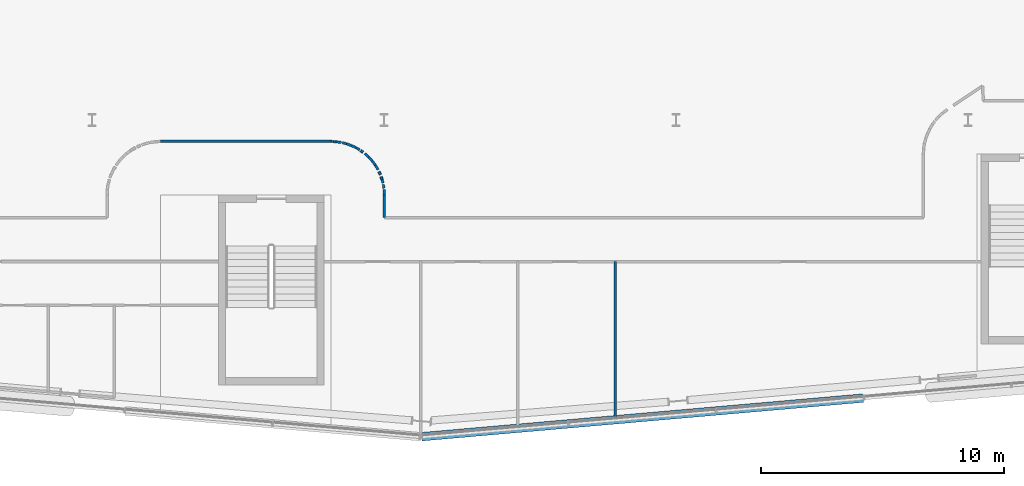
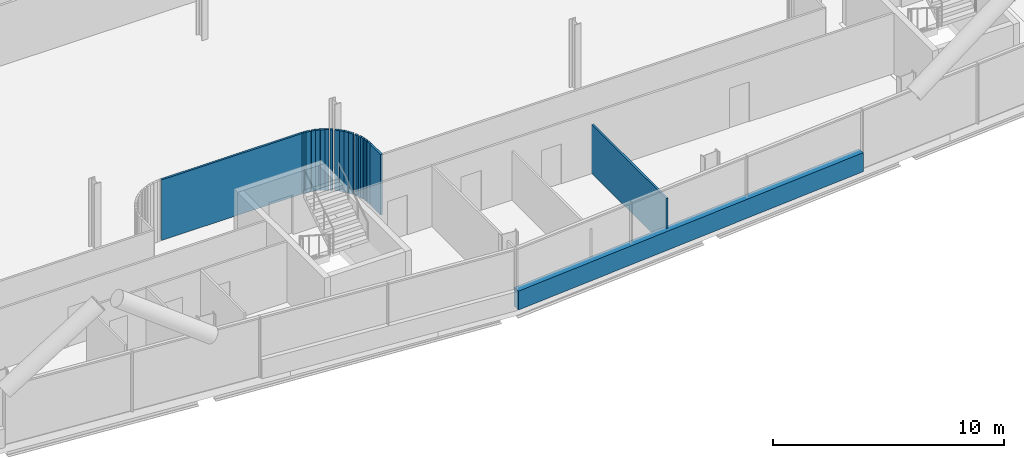
# One storey, part 16 of 30: 21 walls.
"""IFC4 building model written with IfcOpenShell, lengths in metres."""

from ifc_helpers import new_model, si_unit, direction, frame, frame_2d, origin, place, context, subcontext, project, spatial, rectangle, extrude, material, layer, layer_set, type_object, element, save


model = new_model("IFC4")

# Units and contexts
model_context = context("Model", 3, precision=1e-05, world=origin(), true_north=direction((0.0, 1.0)))
body_context = subcontext(model_context, "Body", "Model", "MODEL_VIEW")
ifc_project = project(units=[si_unit("LENGTHUNIT", "METRE"), si_unit("AREAUNIT", "SQUARE_METRE"), si_unit("VOLUMEUNIT", "CUBIC_METRE"), si_unit("PLANEANGLEUNIT", "RADIAN"), si_unit("MASSUNIT", "GRAM", prefix="KILO")], contexts=[model_context])

# Site, building, storey
site_placement = place(None, origin())
site = spatial("IfcSite", under=ifc_project, at=site_placement, CompositionType="ELEMENT")
building_placement = place(site_placement, origin())
building = spatial("IfcBuilding", under=site, at=building_placement, Name="Wharfspan Tower", CompositionType="ELEMENT")
storey_placement = place(building_placement, frame((0.0, 0.0, 107.5)))
storey = spatial("IfcBuildingStorey", under=building, at=storey_placement, Name="L24", CompositionType="ELEMENT", Elevation=107.5)

# Walls
ifc_material_1 = material(Name="Gypsum board on steel studs", Category="steel")
ifc_layer_1 = layer(ifc_material_1, 0.100098)
ifc_layer_set_1 = layer_set([ifc_layer_1], Name="Gypsum board on steel studs")
wall_type_1 = type_object("IfcWallType", Name="Compartment wall 100 EI 60", PredefinedType="PARTITIONING", material=ifc_layer_set_1)
wall_1_placement = place(storey_placement, frame((38.810059, 10.620117, 0.0), z_axis=(0.0, 0.0, 1.0), x_axis=(1.0, 0.0, 0.0)))
element("IfcWall", 1, at=wall_1_placement, inside=storey, type_object=wall_type_1, Name="Partition L24.w046", PredefinedType="PARTITIONING", context=body_context, shape_type="SweptSolid", body=[
    extrude(rectangle(XDim=7.0, YDim=0.100098, at=frame_2d((3.5, 0.0))), origin(), (0.0, 0.0, 1.0), 3.199951),
])
wall_2_placement = place(storey_placement, frame((45.909912, 10.61499, 0.0), z_axis=(0.0, 0.0, 1.0), x_axis=(-0.998681, 0.051277, 0.0)))
element("IfcWall", 2, at=wall_2_placement, inside=storey, type_object=wall_type_1, Name="Partition L24.w049", PredefinedType="PARTITIONING", context=body_context, shape_type="SweptSolid", body=[
    extrude(rectangle(XDim=0.100098, YDim=0.100098, at=frame_2d((0.050049, 0.0))), origin(), (0.0, 0.0, 1.0), 3.199951),
])
wall_3_placement = place(storey_placement, frame((46.024902, 10.60498, 0.0), z_axis=(0.0, 0.0, 1.0), x_axis=(-0.996234, 0.086721, 0.0)))
element("IfcWall", 3, at=wall_3_placement, inside=storey, type_object=wall_type_1, Name="Partition L24.w050", PredefinedType="PARTITIONING", context=body_context, shape_type="SweptSolid", body=[
    extrude(rectangle(XDim=0.115479, YDim=0.100098, at=frame_2d((0.057617, 0.0))), origin(), (0.0, 0.0, 1.0), 3.199951),
])
wall_4_placement = place(storey_placement, frame((46.23999, 10.574951, 0.0), z_axis=(0.0, 0.0, 1.0), x_axis=(-0.990394, 0.138273, 0.0)))
element("IfcWall", 4, at=wall_4_placement, inside=storey, type_object=wall_type_1, Name="Partition L24.w051", PredefinedType="PARTITIONING", context=body_context, shape_type="SweptSolid", body=[
    extrude(rectangle(XDim=0.217285, YDim=0.100098, at=frame_2d((0.108643, 0.0))), origin(), (0.0, 0.0, 1.0), 3.199951),
])
wall_5_placement = place(storey_placement, frame((46.449951, 10.524902, 0.0), z_axis=(0.0, 0.0, 1.0), x_axis=(-0.971812, 0.235765, 0.0)))
element("IfcWall", 5, at=wall_5_placement, inside=storey, type_object=wall_type_1, Name="Partition L24.w052", PredefinedType="PARTITIONING", context=body_context, shape_type="SweptSolid", body=[
    extrude(rectangle(XDim=0.169922, YDim=0.100098, at=frame_2d((0.084961, 0.0))), origin(), (0.0, 0.0, 1.0), 3.199951),
])
wall_6_placement = place(storey_placement, frame((46.649902, 10.449951, 0.0), z_axis=(0.0, 0.0, 1.0), x_axis=(-0.936373, 0.350997, 0.0)))
element("IfcWall", 6, at=wall_6_placement, inside=storey, type_object=wall_type_1, Name="Partition L24.w053", PredefinedType="PARTITIONING", context=body_context, shape_type="SweptSolid", body=[
    extrude(rectangle(XDim=0.213623, YDim=0.100098, at=frame_2d((0.106934, 0.0))), origin(), (0.0, 0.0, 1.0), 3.199951),
])
wall_7_placement = place(storey_placement, frame((46.850098, 10.360107, 0.0), z_axis=(0.0, 0.0, 1.0), x_axis=(-0.908296, 0.418339, 0.0)))
element("IfcWall", 7, at=wall_7_placement, inside=storey, type_object=wall_type_1, Name="Partition L24.w054", PredefinedType="PARTITIONING", context=body_context, shape_type="SweptSolid", body=[
    extrude(rectangle(XDim=0.214844, YDim=0.100098, at=frame_2d((0.107422, 0.0))), origin(), (0.0, 0.0, 1.0), 3.199951),
])
wall_8_placement = place(storey_placement, frame((46.995117, 10.27002, 0.0), z_axis=(0.0, 0.0, 1.0), x_axis=(-0.849441, 0.527683, 0.0)))
element("IfcWall", 8, at=wall_8_placement, inside=storey, type_object=wall_type_1, Name="Partition L24.w055", PredefinedType="PARTITIONING", context=body_context, shape_type="SweptSolid", body=[
    extrude(rectangle(XDim=0.170654, YDim=0.100098, at=frame_2d((0.085449, 0.0))), origin(), (0.0, 0.0, 1.0), 3.199951),
])
wall_9_placement = place(storey_placement, frame((47.129883, 10.175049, 0.0), z_axis=(0.0, 0.0, 1.0), x_axis=(-0.804696, 0.593696, 0.0)))
element("IfcWall", 9, at=wall_9_placement, inside=storey, type_object=wall_type_1, Name="Partition L24.w056", PredefinedType="PARTITIONING", context=body_context, shape_type="SweptSolid", body=[
    extrude(rectangle(XDim=0.11792, YDim=0.100098, at=frame_2d((0.059082, 0.0))), origin(), (0.0, 0.0, 1.0), 3.199951),
])
wall_10_placement = place(storey_placement, frame((47.36499, 9.975098, 0.0), z_axis=(0.0, 0.0, 1.0), x_axis=(-0.740762, 0.671775, 0.0)))
element("IfcWall", 10, at=wall_10_placement, inside=storey, type_object=wall_type_1, Name="Partition L24.w057", PredefinedType="PARTITIONING", context=body_context, shape_type="SweptSolid", body=[
    extrude(rectangle(XDim=0.21582, YDim=0.100098, at=frame_2d((0.10791, 0.0))), origin(), (0.0, 0.0, 1.0), 3.199951),
])
wall_11_placement = place(storey_placement, frame((47.51001, 9.814941, 0.0), z_axis=(0.0, 0.0, 1.0), x_axis=(-0.67121, 0.741269, 0.0)))
element("IfcWall", 11, at=wall_11_placement, inside=storey, type_object=wall_type_1, Name="Partition L24.w059", PredefinedType="PARTITIONING", context=body_context, shape_type="SweptSolid", body=[
    extrude(rectangle(XDim=0.216064, YDim=0.100098, at=frame_2d((0.10791, 0.0))), origin(), (0.0, 0.0, 1.0), 3.199951),
])
wall_12_placement = place(storey_placement, frame((47.639893, 9.639893, 0.0), z_axis=(0.0, 0.0, 1.0), x_axis=(-0.595869, 0.803079, 0.0)))
element("IfcWall", 12, at=wall_12_placement, inside=storey, type_object=wall_type_1, Name="Partition L24.w060", PredefinedType="PARTITIONING", context=body_context, shape_type="SweptSolid", body=[
    extrude(rectangle(XDim=0.218018, YDim=0.100098, at=frame_2d((0.108887, 0.0))), origin(), (0.0, 0.0, 1.0), 3.199951),
])
wall_13_placement = place(storey_placement, frame((47.75, 9.455078, 0.0), z_axis=(0.0, 0.0, 1.0), x_axis=(-0.511823, 0.859091, 0.0)))
element("IfcWall", 13, at=wall_13_placement, inside=storey, type_object=wall_type_1, Name="Partition L24.w061", PredefinedType="PARTITIONING", context=body_context, shape_type="SweptSolid", body=[
    extrude(rectangle(XDim=0.215088, YDim=0.100098, at=frame_2d((0.107422, 0.0))), origin(), (0.0, 0.0, 1.0), 3.199951),
])
wall_14_placement = place(storey_placement, frame((47.844971, 9.26001, 0.0), z_axis=(0.0, 0.0, 1.0), x_axis=(-0.431047, 0.902325, 0.0)))
element("IfcWall", 14, at=wall_14_placement, inside=storey, type_object=wall_type_1, Name="Partition L24.w062", PredefinedType="PARTITIONING", context=body_context, shape_type="SweptSolid", body=[
    extrude(rectangle(XDim=0.127441, YDim=0.100098, at=frame_2d((0.063721, 0.0))), origin(), (0.0, 0.0, 1.0), 3.199951),
])
wall_15_placement = place(storey_placement, frame((47.915039, 9.054932, 0.0), z_axis=(0.0, 0.0, 1.0), x_axis=(-0.341744, 0.939796, 0.0)))
element("IfcWall", 15, at=wall_15_placement, inside=storey, type_object=wall_type_1, Name="Partition L24.w063", PredefinedType="PARTITIONING", context=body_context, shape_type="SweptSolid", body=[
    extrude(rectangle(XDim=0.117188, YDim=0.100098, at=frame_2d((0.058594, 0.0))), origin(), (0.0, 0.0, 1.0), 3.199951),
])
wall_16_placement = place(storey_placement, frame((47.955078, 8.905029, 0.0), z_axis=(0.0, 0.0, 1.0), x_axis=(-0.258054, 0.966129, 0.0)))
element("IfcWall", 16, at=wall_16_placement, inside=storey, type_object=wall_type_1, Name="Partition L24.w064", PredefinedType="PARTITIONING", context=body_context, shape_type="SweptSolid", body=[
    extrude(rectangle(XDim=0.155273, YDim=0.100098, at=frame_2d((0.077637, 0.0))), origin(), (0.0, 0.0, 1.0), 3.199951),
])
wall_17_placement = place(storey_placement, frame((47.98999, 8.695068, 0.0), z_axis=(0.0, 0.0, 1.0), x_axis=(-0.132375, 0.991198, 0.0)))
element("IfcWall", 17, at=wall_17_placement, inside=storey, type_object=wall_type_1, Name="Partition L24.w065", PredefinedType="PARTITIONING", context=body_context, shape_type="SweptSolid", body=[
    extrude(rectangle(XDim=0.151123, YDim=0.100098, at=frame_2d((0.075684, 0.0))), origin(), (0.0, 0.0, 1.0), 3.199951),
])
wall_18_placement = place(storey_placement, frame((48.01001, 7.485107, 0.0), z_axis=(0.0, 0.0, 1.0), x_axis=(0.0, 1.0, 0.0)))
element("IfcWall", 18, at=wall_18_placement, inside=storey, type_object=wall_type_1, Name="Partition L24.w066", PredefinedType="PARTITIONING", context=body_context, shape_type="SweptSolid", body=[
    extrude(rectangle(XDim=0.929932, YDim=0.100098, at=frame_2d((0.464844, 0.0))), origin(), (0.0, 0.0, 1.0), 3.199951),
])
wall_19_placement = place(storey_placement, frame((48.01001, 8.415039, 0.0), z_axis=(0.0, 0.0, 1.0), x_axis=(-0.045458, 0.998967, 0.0)))
element("IfcWall", 19, at=wall_19_placement, inside=storey, type_object=wall_type_1, Name="Partition L24.w068", PredefinedType="PARTITIONING", context=body_context, shape_type="SweptSolid", body=[
    extrude(rectangle(XDim=0.220215, YDim=0.100098, at=frame_2d((0.110107, 0.0))), origin(), (0.0, 0.0, 1.0), 3.199951),
])
wall_20_placement = place(storey_placement, frame((57.5, -0.79834, 0.0), z_axis=(0.0, 0.0, 1.0), x_axis=(0.0, 1.0, 0.0)))
element("IfcWall", 20, at=wall_20_placement, inside=storey, type_object=wall_type_1, Name="Partition L24.w073", PredefinedType="PARTITIONING", context=body_context, shape_type="SweptSolid", body=[
    extrude(rectangle(XDim=6.478271, YDim=0.100098, at=frame_2d((3.239258, 0.0))), origin(), (0.0, 0.0, 1.0), 2.580078),
])
ifc_material_2 = material(Name="Concrete C40/50", Category="concrete")
ifc_layer_2 = layer(ifc_material_2, 0.350098)
ifc_layer_set_2 = layer_set([ifc_layer_2], Name="Concrete C40/50")
wall_type_2 = type_object("IfcWallType", Name="SPANDREL EXPOSED CONCRETE 350", PredefinedType="SOLIDWALL", material=ifc_layer_set_2)
wall_21_placement = place(storey_placement, frame((49.54541, -1.519287, 0.0), z_axis=(0.0, 0.0, 1.0), x_axis=(0.996191, 0.087151, 0.0)))
element("IfcWall", 21, at=wall_21_placement, inside=storey, type_object=wall_type_2, Name="Spandrel upstand L24 S2 1", PredefinedType="SOLIDWALL", context=body_context, shape_type="SweptSolid", body=[
    extrude(rectangle(XDim=18.20874, YDim=0.350098, at=frame_2d((9.104492, 0.0))), origin(), (0.0, 0.0, 1.0), 1.0),
])

save(model, "model.ifc")
